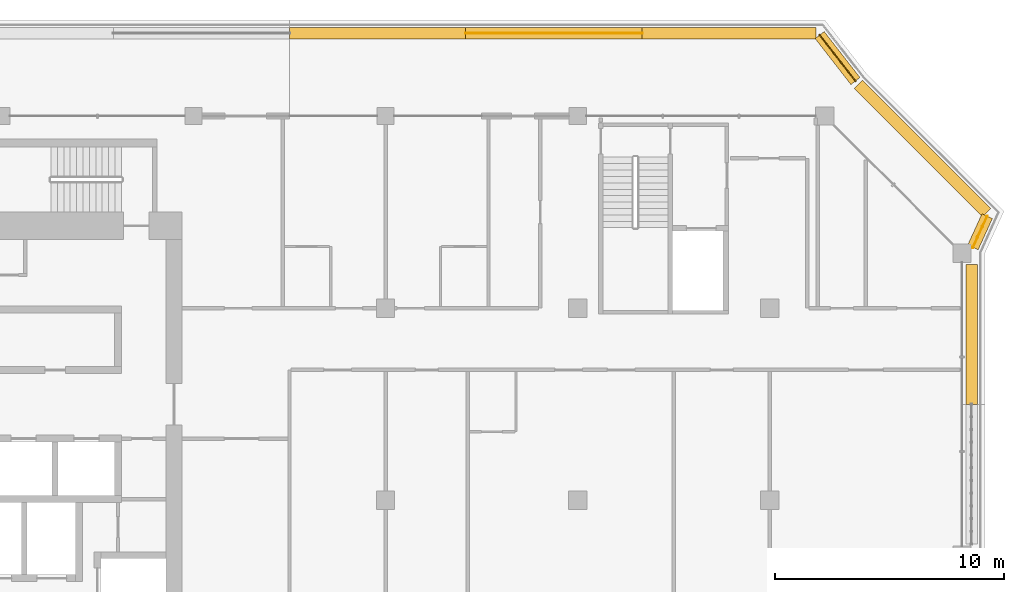
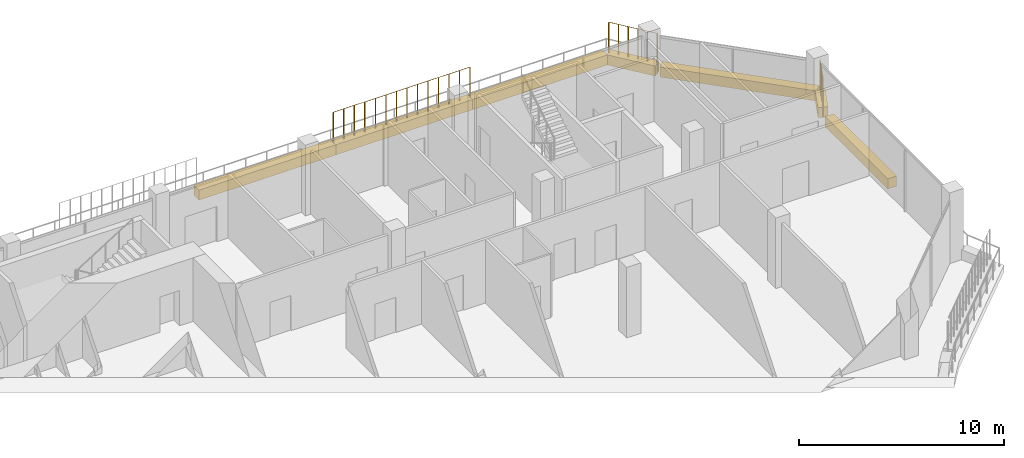
# One storey, part 20 of 20: 7 coverings, 3 railings.
"""IFC4 building model written with IfcOpenShell, lengths in metres."""

from ifc_helpers import new_model, si_unit, direction, frame, origin, origin_2d, place, context, subcontext, project, spatial, rectangle, circle, extrude, material, material_profile, profile_set, type_object, element, save


model = new_model("IFC4")

# Units and contexts
model_context = context("Model", 3, precision=1e-05, world=origin(), true_north=direction((0.0, 1.0)))
body_context = subcontext(model_context, "Body", "Model", "MODEL_VIEW")
ifc_project = project(units=[si_unit("LENGTHUNIT", "METRE"), si_unit("AREAUNIT", "SQUARE_METRE"), si_unit("VOLUMEUNIT", "CUBIC_METRE"), si_unit("PLANEANGLEUNIT", "RADIAN"), si_unit("MASSUNIT", "GRAM", prefix="KILO")], contexts=[model_context])

# Site, building, storey
site_placement = place(None, origin())
site = spatial("IfcSite", under=ifc_project, at=site_placement, CompositionType="ELEMENT")
building_placement = place(site_placement, origin())
building = spatial("IfcBuilding", under=site, at=building_placement, Name="Kawkab Arch Medical Tower", CompositionType="ELEMENT")
storey_placement = place(building_placement, frame((0.0, 0.0, 328.0)))
storey = spatial("IfcBuildingStorey", under=building, at=storey_placement, Name="L76", CompositionType="ELEMENT", Elevation=328.0)

# Coverings
ifc_material_1 = material(Name="Planting soil in a precast trough", Category="concrete")
ifc_material_profile = material_profile(ifc_material_1, rectangle(XDim=0.5, YDim=0.60009765625, at=origin_2d()), Name="Trough 500x600")
ifc_profile_set = profile_set([ifc_material_profile], Name="Planting soil in a precast trough")
covering_type = type_object("IfcCoveringType", Name="Planter trough 500 x 600", PredefinedType="USERDEFINED", material=ifc_profile_set)
covering_1_placement = place(storey_placement, frame((29.39990234375, 3.6201171875, 0.300048828125), z_axis=(1.0, 0.0, 0.0), x_axis=(0.0, 1.0, 0.0)))
element("IfcCovering", 1, at=covering_1_placement, inside=storey, type_object=covering_type, Name="Planter L76.LOG-01-01.16", ObjectType="PLANTER", PredefinedType="USERDEFINED", context=body_context, shape_type="SweptSolid", body=[
    extrude(rectangle(XDim=0.5, YDim=0.60009765625, at=origin_2d()), origin(), (0.0, 0.0, 1.0), 7.705078125),
])
covering_2_placement = place(storey_placement, frame((37.10498046875, 3.6201171875, 0.300048828125), z_axis=(1.0, 0.0, 0.0), x_axis=(0.0, 1.0, 0.0)))
element("IfcCovering", 2, at=covering_2_placement, inside=storey, type_object=covering_type, Name="Planter L76.LOG-01-01.17", ObjectType="PLANTER", PredefinedType="USERDEFINED", context=body_context, shape_type="SweptSolid", body=[
    extrude(rectangle(XDim=0.5, YDim=0.60009765625, at=origin_2d()), origin(), (0.0, 0.0, 1.0), 7.7060546875),
])
covering_3_placement = place(storey_placement, frame((44.81103515625, 3.6201171875, 0.300048828125), z_axis=(1.0, 0.0, 0.0), x_axis=(0.0, 1.0, 0.0)))
element("IfcCovering", 3, at=covering_3_placement, inside=storey, type_object=covering_type, Name="Planter L76.LOG-01-01.18", ObjectType="PLANTER", PredefinedType="USERDEFINED", context=body_context, shape_type="SweptSolid", body=[
    extrude(rectangle(XDim=0.5, YDim=0.60009765625, at=origin_2d()), origin(), (0.0, 0.0, 1.0), 7.60498046875),
])
covering_4_placement = place(storey_placement, frame((52.577880859375, 3.541015625, 0.300048828125), z_axis=(0.614099956103, -0.789228258436, 0.0), x_axis=(0.789228258436, 0.614099956103, 0.0)))
element("IfcCovering", 4, at=covering_4_placement, inside=storey, type_object=covering_type, Name="Planter L76.LOG-01-01.19", ObjectType="PLANTER", PredefinedType="USERDEFINED", context=body_context, shape_type="SweptSolid", body=[
    extrude(rectangle(XDim=0.5, YDim=0.60009765625, at=origin_2d()), origin(), (0.0, 0.0, 1.0), 2.545654296875),
])
covering_5_placement = place(storey_placement, frame((54.27294921875, 1.383056640625, 0.300048828125), z_axis=(0.707106781187, -0.707106781187, 0.0), x_axis=(0.707106781187, 0.707106781187, 0.0)))
element("IfcCovering", 5, at=covering_5_placement, inside=storey, type_object=covering_type, Name="Planter L76.LOG-01-01.20", ObjectType="PLANTER", PredefinedType="USERDEFINED", context=body_context, shape_type="SweptSolid", body=[
    extrude(rectangle(XDim=0.5, YDim=0.60009765625, at=origin_2d()), origin(), (0.0, 0.0, 1.0), 7.919677734375),
])
covering_6_placement = place(storey_placement, frame((59.902099609375, -4.37890625, 0.300048828125), z_axis=(-0.415189748133, -0.909734836667, 0.0), x_axis=(0.909734836667, -0.415189748133, 0.0)))
element("IfcCovering", 6, at=covering_6_placement, inside=storey, type_object=covering_type, Name="Planter L76.LOG-01-01.21", ObjectType="PLANTER", PredefinedType="USERDEFINED", context=body_context, shape_type="SweptSolid", body=[
    extrude(rectangle(XDim=0.5, YDim=0.60009765625, at=origin_2d()), origin(), (0.0, 0.0, 1.0), 1.498291015625),
])
covering_7_placement = place(storey_placement, frame((59.219970703125, -6.47998046875, 0.300048828125), z_axis=(0.0, -1.0, 0.0), x_axis=(1.0, 0.0, 0.0)))
element("IfcCovering", 7, at=covering_7_placement, inside=storey, type_object=covering_type, Name="Planter L76.LOG-01-01.22", ObjectType="PLANTER", PredefinedType="USERDEFINED", context=body_context, shape_type="SweptSolid", body=[
    extrude(rectangle(XDim=0.5, YDim=0.60009765625, at=origin_2d()), origin(), (0.0, 0.0, 1.0), 6.1201171875),
])

# Railings
ifc_material_2 = material(Name="Bronze anodised aluminium trellis for climbing plants", Category="aluminium")
railing_type = type_object("IfcRailingType", Name="Planting trellis 2400", PredefinedType="USERDEFINED", material=ifc_material_2)
railing_1_placement = place(storey_placement, frame((37.10498046875, 3.6201171875, 0.0)))
element("IfcRailing", 8, at=railing_1_placement, inside=storey, type_object=railing_type, Name="Planting trellis L76.LOG-01-01.17", ObjectType="TRELLIS", PredefinedType="USERDEFINED", context=body_context, shape_type="SweptSolid", body=[
    extrude(circle(Radius=0.01513671875, at=origin_2d()), frame((0.0, 0.0, 2.384765625), z_axis=(1.0, 0.0, 0.0), x_axis=(0.0, 1.0, 0.0)), (0.0, 0.0, 1.0), 7.7060546875),
    extrude(circle(Radius=0.030029296875, at=origin_2d()), origin(), (0.0, 0.0, 1.0), 2.369873046875),
    extrude(circle(Radius=0.030029296875, at=origin_2d()), frame((0.5927734375, 0.0, 0.0)), (0.0, 0.0, 1.0), 2.369873046875),
    extrude(circle(Radius=0.030029296875, at=origin_2d()), frame((1.185546875, 0.0, 0.0)), (0.0, 0.0, 1.0), 2.369873046875),
    extrude(circle(Radius=0.030029296875, at=origin_2d()), frame((1.7783203125, 0.0, 0.0)), (0.0, 0.0, 1.0), 2.369873046875),
    extrude(circle(Radius=0.030029296875, at=origin_2d()), frame((2.37109375, 0.0, 0.0)), (0.0, 0.0, 1.0), 2.369873046875),
    extrude(circle(Radius=0.030029296875, at=origin_2d()), frame((2.9638671875, 0.0, 0.0)), (0.0, 0.0, 1.0), 2.369873046875),
    extrude(circle(Radius=0.030029296875, at=origin_2d()), frame((3.556640625, 0.0, 0.0)), (0.0, 0.0, 1.0), 2.369873046875),
    extrude(circle(Radius=0.030029296875, at=origin_2d()), frame((4.1494140625, 0.0, 0.0)), (0.0, 0.0, 1.0), 2.369873046875),
    extrude(circle(Radius=0.030029296875, at=origin_2d()), frame((4.7421875, 0.0, 0.0)), (0.0, 0.0, 1.0), 2.369873046875),
    extrude(circle(Radius=0.030029296875, at=origin_2d()), frame((5.3349609375, 0.0, 0.0)), (0.0, 0.0, 1.0), 2.369873046875),
    extrude(circle(Radius=0.030029296875, at=origin_2d()), frame((5.927734375, 0.0, 0.0)), (0.0, 0.0, 1.0), 2.369873046875),
    extrude(circle(Radius=0.030029296875, at=origin_2d()), frame((6.5205078125, 0.0, 0.0)), (0.0, 0.0, 1.0), 2.369873046875),
    extrude(circle(Radius=0.030029296875, at=origin_2d()), frame((7.11328125, 0.0, 0.0)), (0.0, 0.0, 1.0), 2.369873046875),
    extrude(circle(Radius=0.030029296875, at=origin_2d()), frame((7.7060546875, 0.0, 0.0)), (0.0, 0.0, 1.0), 2.369873046875),
])
railing_2_placement = place(storey_placement, frame((52.577880859375, 3.541015625, 0.0)))
element("IfcRailing", 9, at=railing_2_placement, inside=storey, type_object=railing_type, Name="Planting trellis L76.LOG-01-01.19", ObjectType="TRELLIS", PredefinedType="USERDEFINED", context=body_context, shape_type="SweptSolid", body=[
    extrude(circle(Radius=0.01513671875, at=origin_2d()), frame((0.0, 0.0, 2.384765625), z_axis=(0.614099956103, -0.789228258436, 0.0), x_axis=(0.789228258436, 0.614099956103, 0.0)), (0.0, 0.0, 1.0), 2.545654296875),
    extrude(circle(Radius=0.030029296875, at=origin_2d()), origin(), (0.0, 0.0, 1.0), 2.369873046875),
    extrude(circle(Radius=0.030029296875, at=origin_2d()), frame((0.312744140625, -0.40185546875, 0.0)), (0.0, 0.0, 1.0), 2.369873046875),
    extrude(circle(Radius=0.030029296875, at=origin_2d()), frame((0.625244140625, -0.8037109375, 0.0)), (0.0, 0.0, 1.0), 2.369873046875),
    extrude(circle(Radius=0.030029296875, at=origin_2d()), frame((0.93798828125, -1.205322265625, 0.0)), (0.0, 0.0, 1.0), 2.369873046875),
    extrude(circle(Radius=0.030029296875, at=origin_2d()), frame((1.25048828125, -1.607177734375, 0.0)), (0.0, 0.0, 1.0), 2.369873046875),
    extrude(circle(Radius=0.030029296875, at=origin_2d()), frame((1.563232421875, -2.009033203125, 0.0)), (0.0, 0.0, 1.0), 2.369873046875),
])
railing_3_placement = place(storey_placement, frame((59.902099609375, -4.37890625, 0.0)))
element("IfcRailing", 10, at=railing_3_placement, inside=storey, type_object=railing_type, Name="Planting trellis L76.LOG-01-01.21", ObjectType="TRELLIS", PredefinedType="USERDEFINED", context=body_context, shape_type="SweptSolid", body=[
    extrude(circle(Radius=0.01513671875, at=origin_2d()), frame((0.0, 0.0, 2.384765625), z_axis=(-0.415189748133, -0.909734836667, 0.0), x_axis=(0.909734836667, -0.415189748133, 0.0)), (0.0, 0.0, 1.0), 1.498291015625),
    extrude(circle(Radius=0.030029296875, at=origin_2d()), origin(), (0.0, 0.0, 1.0), 2.369873046875),
    extrude(circle(Radius=0.030029296875, at=origin_2d()), frame((-0.207275390625, -0.454345703125, 0.0)), (0.0, 0.0, 1.0), 2.369873046875),
    extrude(circle(Radius=0.030029296875, at=origin_2d()), frame((-0.414794921875, -0.90869140625, 0.0)), (0.0, 0.0, 1.0), 2.369873046875),
    extrude(circle(Radius=0.030029296875, at=origin_2d()), frame((-0.6220703125, -1.363037109375, 0.0)), (0.0, 0.0, 1.0), 2.369873046875),
])

save(model, "model.ifc")
